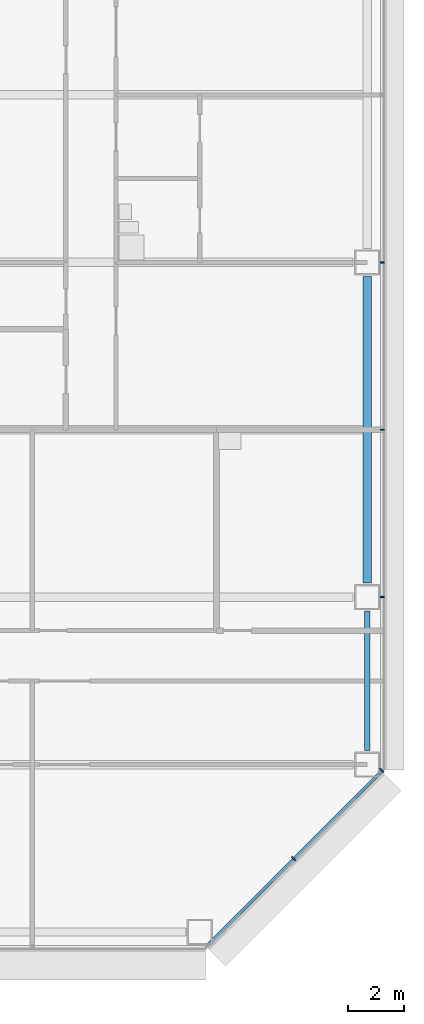
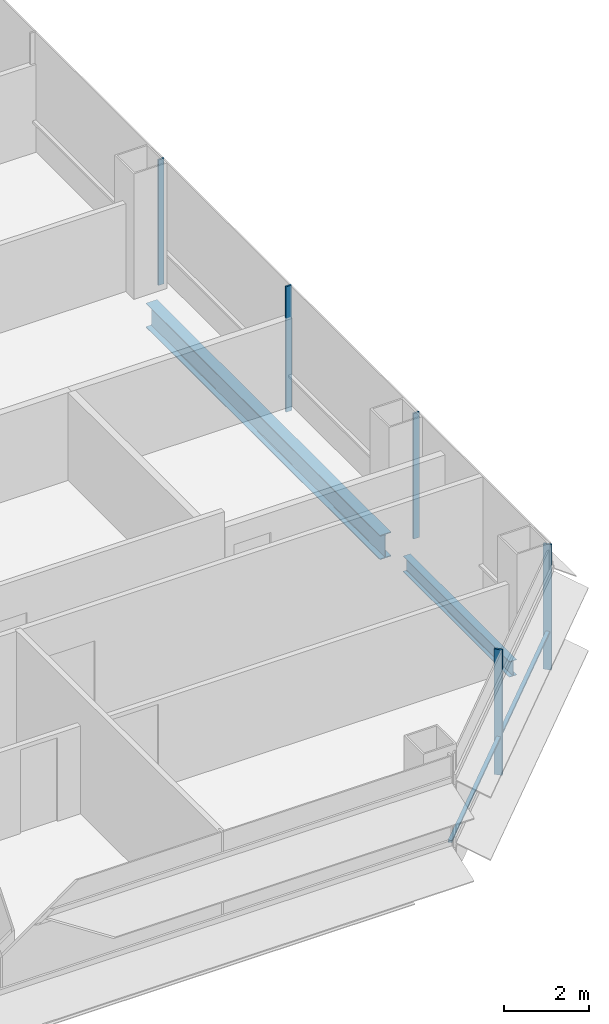
# One storey, part 16 of 27: 6 members, 2 beams, 2 elements without a shape of their own.
"""IFC4 building model written with IfcOpenShell, lengths in metres."""

from ifc_helpers import new_model, si_unit, direction, frame, origin, origin_2d, place, context, subcontext, project, spatial, rectangle, i_section, extrude, material, material_profile, profile_set, type_object, element, aggregate, save


model = new_model("IFC4")

# Units and contexts
model_context = context("Model", 3, precision=1e-05, world=origin(), true_north=direction((0.0, 1.0)))
body_context = subcontext(model_context, "Body", "Model", "MODEL_VIEW")
ifc_project = project(units=[si_unit("LENGTHUNIT", "METRE"), si_unit("AREAUNIT", "SQUARE_METRE"), si_unit("VOLUMEUNIT", "CUBIC_METRE"), si_unit("PLANEANGLEUNIT", "RADIAN"), si_unit("MASSUNIT", "GRAM", prefix="KILO")], contexts=[model_context])

# Site, building, storey
site_placement = place(None, origin())
site = spatial("IfcSite", under=ifc_project, at=site_placement, CompositionType="ELEMENT")
building_placement = place(site_placement, origin())
building = spatial("IfcBuilding", under=site, at=building_placement, Name="Sorahane Residences", CompositionType="ELEMENT")
storey_placement = place(building_placement, frame((0.0, 0.0, 49.800048828125)))
storey = spatial("IfcBuildingStorey", under=building, at=storey_placement, Name="L08", CompositionType="ELEMENT", Elevation=49.800048828125)

# Curtain wall, members
ifc_material_1 = material(Name="Dark low-e glass and black anodised aluminium", Category="aluminium")
curtain_wall_type_1 = type_object("IfcCurtainWallType", Name="Curtain wall CW-1 Typical unitised wall", PredefinedType="NOTDEFINED", material=ifc_material_1)
curtain_wall_1_placement = place(storey_placement, origin())
curtain_wall_1 = element("IfcCurtainWall", 1, at=curtain_wall_1_placement, inside=storey, type_object=curtain_wall_type_1, Name="CW-1 curtain wall L08 E1", PredefinedType="NOTDEFINED")
ifc_material_2 = material(Name="Black anodised aluminium", Category="aluminium")
ifc_material_profile_1 = material_profile(ifc_material_2, rectangle(XDim=0.159912109375, YDim=0.050048828125, at=origin_2d()), Name="Curtain wall mullion CW-1 black anodised aluminium 50x160")
ifc_profile_set_1 = profile_set([ifc_material_profile_1], Name="Black anodised aluminium")
member_type_1 = type_object("IfcMemberType", Name="Curtain wall mullion CW-1 black anodised aluminium 50x160", PredefinedType="MULLION", material=ifc_profile_set_1)
member_1_placement = place(storey_placement, frame((66.5400390625, 12.0, -0.179931640625), z_axis=(0.0, 0.0, 1.0), x_axis=(1.0, 0.0, 0.0)))
member_1 = element("IfcMember", 2, at=member_1_placement, type_object=member_type_1, Name="CW-1 mullion L08 E1.2", PredefinedType="MULLION", context=body_context, shape_type="SweptSolid", body=[
    extrude(rectangle(XDim=0.159912109375, YDim=0.050048828125, at=origin_2d()), origin(), (0.0, 0.0, 1.0), 3.599853515625),
])
member_2_placement = place(storey_placement, frame((66.5400390625, 18.0, -0.179931640625), z_axis=(0.0, 0.0, 1.0), x_axis=(1.0, 0.0, 0.0)))
member_2 = element("IfcMember", 3, at=member_2_placement, type_object=member_type_1, Name="CW-1 mullion L08 E1.3", PredefinedType="MULLION", context=body_context, shape_type="SweptSolid", body=[
    extrude(rectangle(XDim=0.159912109375, YDim=0.050048828125, at=origin_2d()), origin(), (0.0, 0.0, 1.0), 3.599853515625),
])
member_3_placement = place(storey_placement, frame((66.5400390625, 24.0, -0.179931640625), z_axis=(0.0, 0.0, 1.0), x_axis=(1.0, 0.0, 0.0)))
member_3 = element("IfcMember", 4, at=member_3_placement, type_object=member_type_1, Name="CW-1 mullion L08 E1.4", PredefinedType="MULLION", context=body_context, shape_type="SweptSolid", body=[
    extrude(rectangle(XDim=0.159912109375, YDim=0.050048828125, at=origin_2d()), origin(), (0.0, 0.0, 1.0), 3.599853515625),
])
aggregate(curtain_wall_1, [member_1, member_2, member_3])

ifc_material_3 = material(Name="Dark low-e glass and black anodised aluminium", Category="aluminium")
curtain_wall_type_2 = type_object("IfcCurtainWallType", Name="Curtain wall CW-2 Chamfer unitised wall", PredefinedType="NOTDEFINED", material=ifc_material_3)
curtain_wall_2_placement = place(storey_placement, origin())
curtain_wall_2 = element("IfcCurtainWall", 5, at=curtain_wall_2_placement, inside=storey, type_object=curtain_wall_type_2, Name="CW-2 curtain wall L08 SE1", PredefinedType="NOTDEFINED")
ifc_material_4 = material(Name="Black anodised aluminium", Category="aluminium")
ifc_material_profile_2 = material_profile(ifc_material_4, rectangle(XDim=0.199951171875, YDim=0.050048828125, at=origin_2d()), Name="Curtain wall mullion CW-2 black anodised aluminium 50x200")
ifc_profile_set_2 = profile_set([ifc_material_profile_2], Name="Black anodised aluminium")
member_type_2 = type_object("IfcMemberType", Name="Curtain wall mullion CW-2 black anodised aluminium 50x200", PredefinedType="MULLION", material=ifc_profile_set_2)
member_4_placement = place(storey_placement, frame((63.36767578125, 2.63232421875, -0.179931640625), z_axis=(0.0, 0.0, 1.0), x_axis=(0.707106781187, -0.707106781187, 0.0)))
member_4 = element("IfcMember", 6, at=member_4_placement, type_object=member_type_2, Name="CW-2 mullion L08 SE1.2", PredefinedType="MULLION", context=body_context, shape_type="SweptSolid", body=[
    extrude(rectangle(XDim=0.199951171875, YDim=0.050048828125, at=origin_2d()), origin(), (0.0, 0.0, 1.0), 3.599853515625),
])
member_5_placement = place(storey_placement, frame((66.525634765625, 5.790283203125, -0.179931640625), z_axis=(0.0, 0.0, 1.0), x_axis=(0.707106781187, -0.707106781187, 0.0)))
member_5 = element("IfcMember", 7, at=member_5_placement, type_object=member_type_2, Name="CW-2 mullion L08 SE1.3", PredefinedType="MULLION", context=body_context, shape_type="SweptSolid", body=[
    extrude(rectangle(XDim=0.199951171875, YDim=0.050048828125, at=origin_2d()), origin(), (0.0, 0.0, 1.0), 3.599853515625),
])
ifc_material_5 = material(Name="Black anodised aluminium", Category="aluminium")
ifc_material_profile_3 = material_profile(ifc_material_5, rectangle(XDim=0.10009765625, YDim=0.06005859375, at=origin_2d()), Name="Curtain wall transom CW-2 black anodised aluminium 60x100")
ifc_profile_set_3 = profile_set([ifc_material_profile_3], Name="Black anodised aluminium")
member_type_3 = type_object("IfcMemberType", Name="Curtain wall transom CW-2 black anodised aluminium 60x100", PredefinedType="USERDEFINED", material=ifc_profile_set_3)
member_6_placement = place(storey_placement, frame((60.234375, -0.51513671875, 0.89990234375), z_axis=(0.707106781187, 0.707106781187, 0.0), x_axis=(-0.707106781187, 0.707106781187, 0.0)))
member_6 = element("IfcMember", 8, at=member_6_placement, type_object=member_type_3, Name="CW-2 transom L08 SE1", ObjectType="TRANSOM", PredefinedType="USERDEFINED", context=body_context, shape_type="SweptSolid", body=[
    extrude(rectangle(XDim=0.10009765625, YDim=0.06005859375, at=origin_2d()), origin(), (0.0, 0.0, 1.0), 8.88232421875),
])
aggregate(curtain_wall_2, [member_4, member_5, member_6])

# Beams
ifc_material_6 = material(Name="Steel Q355B", Category="steel")
ifc_material_profile_4 = material_profile(ifc_material_6, i_section(OverallWidth=0.199951171875, OverallDepth=0.449951171875, WebThickness=0.009033203125, FlangeThickness=0.013916015625, FilletRadius=0.02001953125, at=origin_2d()), Name="HN 450x200x9x14")
ifc_profile_set_4 = profile_set([ifc_material_profile_4], Name="Steel Q355B")
beam_type_1 = type_object("IfcBeamType", Name="Steel floor beam HN 450x200x9x14 Q355B", PredefinedType="BEAM", material=ifc_profile_set_4)
beam_1_placement = place(storey_placement, frame((66.0, 6.5, -0.405029296875), z_axis=(0.0, 1.0, 0.0), x_axis=(-1.0, 0.0, 0.0)))
element("IfcBeam", 9, at=beam_1_placement, inside=storey, type_object=beam_type_1, Name="Beam L08 057", PredefinedType="BEAM", context=body_context, shape_type="SweptSolid", body=[
    extrude(i_section(OverallWidth=0.199951171875, OverallDepth=0.449951171875, WebThickness=0.009033203125, FlangeThickness=0.013916015625, FilletRadius=0.02001953125, at=origin_2d()), origin(), (0.0, 0.0, 1.0), 5.0),
])
ifc_material_7 = material(Name="Steel Q355B", Category="steel")
ifc_material_profile_5 = material_profile(ifc_material_7, i_section(OverallWidth=0.300048828125, OverallDepth=0.699951171875, WebThickness=0.012939453125, FlangeThickness=0.02392578125, FilletRadius=0.028076171875, at=origin_2d()), Name="HN 700x300x13x24")
ifc_profile_set_5 = profile_set([ifc_material_profile_5], Name="Steel Q355B")
beam_type_2 = type_object("IfcBeamType", Name="Steel floor beam HN 700x300x13x24 Q355B", PredefinedType="BEAM", material=ifc_profile_set_5)
beam_2_placement = place(storey_placement, frame((66.0, 12.5, -0.530029296875), z_axis=(0.0, 1.0, 0.0), x_axis=(-1.0, 0.0, 0.0)))
element("IfcBeam", 10, at=beam_2_placement, inside=storey, type_object=beam_type_2, Name="Beam L08 058", PredefinedType="BEAM", context=body_context, shape_type="SweptSolid", body=[
    extrude(i_section(OverallWidth=0.300048828125, OverallDepth=0.699951171875, WebThickness=0.012939453125, FlangeThickness=0.02392578125, FilletRadius=0.028076171875, at=origin_2d()), origin(), (0.0, 0.0, 1.0), 11.0),
])

save(model, "model.ifc")
